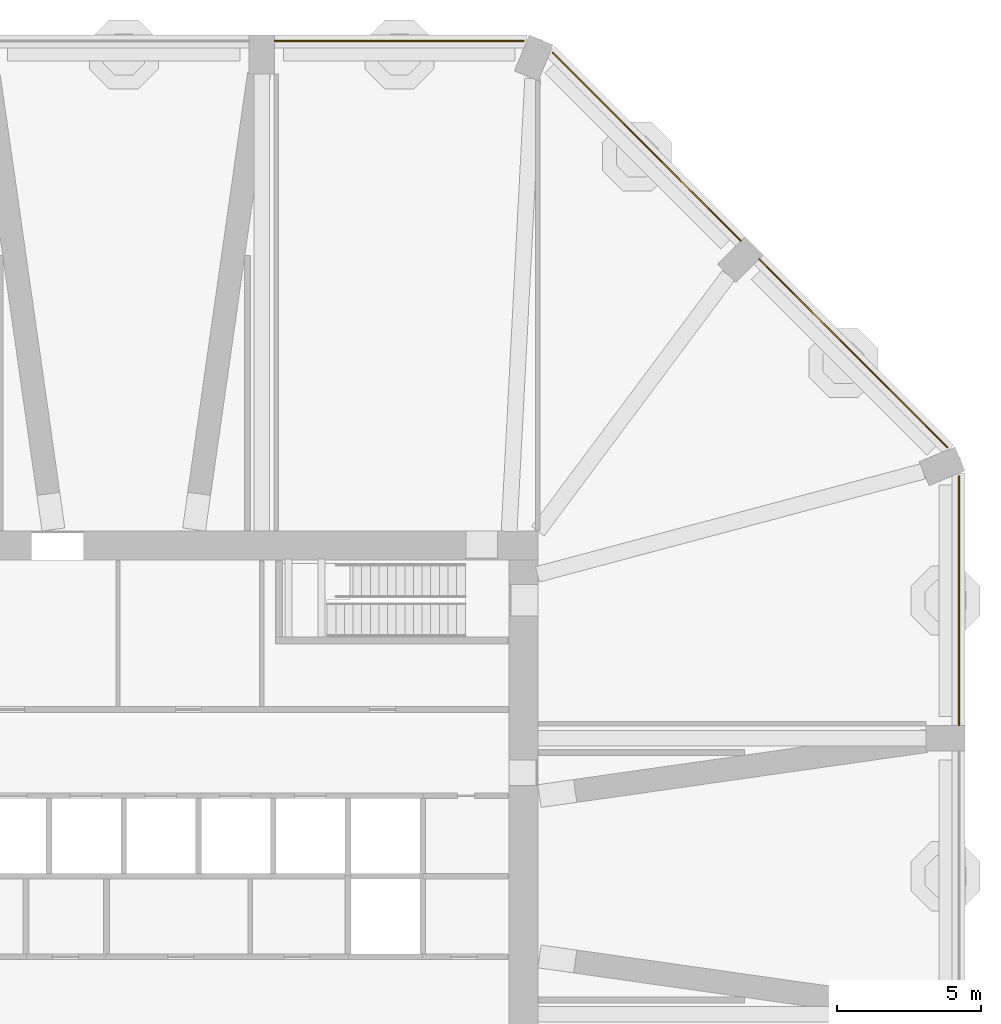
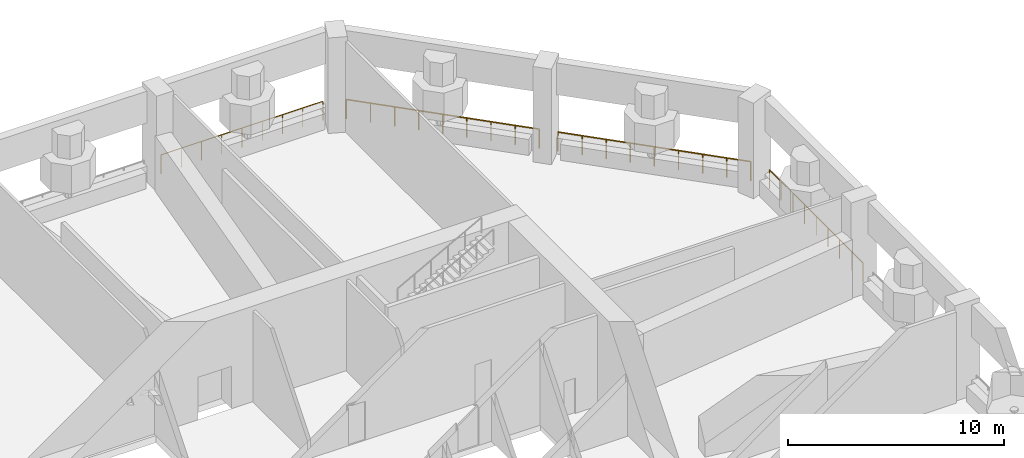
# One storey, part 8 of 9: 4 railings.
"""IFC4 building model written with IfcOpenShell, lengths in metres."""

import ifcopenshell
import ifcopenshell.guid

model = None  # the IFC model being written
_history = None  # IfcOwnerHistory: only IFC2X3 demands one
_inside = {}  # id of a spatial element -> (the spatial element, [elements in it])
_under = {}  # id of a project, library or spatial element -> (it, [spatial elements below it])
_declared = {}  # id of a project -> (the project, [libraries it declares])
_typed = {}  # id of a type object -> (the type object, [elements of that type])
_made_of = {}  # id of a material, layer set ... -> (it, [elements and type objects made of it])


def new_model(schema):
    """Start an empty IFC model of exactly this schema.

    Asked for "IFC4X3", IfcOpenShell would pick the latest addendum, in which some entities
    have other attributes; the version numbers below select the first issue.
    IFC2X3 requires an IfcOwnerHistory on every rooted entity: one is made here for all.
    """
    global model, _history
    if schema == "IFC4X3":
        model = ifcopenshell.file(schema_version=(4, 3, 0, 0))
    else:
        model = ifcopenshell.file(schema=schema)
    _inside.clear()
    _under.clear()
    _declared.clear()
    _typed.clear()
    _made_of.clear()
    _history = None
    if model.schema == "IFC2X3":
        org = make("IfcOrganization", Name="unknown")
        user = make(
            "IfcPersonAndOrganization",
            ThePerson=make("IfcPerson", FamilyName="unknown"),
            TheOrganization=org,
        )
        app = make(
            "IfcApplication",
            ApplicationDeveloper=org,
            Version="unknown",
            ApplicationFullName="unknown",
            ApplicationIdentifier="unknown",
        )
        _history = make(
            "IfcOwnerHistory",
            OwningUser=user,
            OwningApplication=app,
            ChangeAction="ADDED",
            CreationDate=0,
        )
    return model


def make(cls, **values):
    """One entity of the class cls with the attributes given. An attribute that is None is left unset."""
    return model.create_entity(
        cls, **{name: value for name, value in values.items() if value is not None}
    )


def rooted(cls, **values):
    """An entity with a GlobalId (a new one), such as an element, a storey or a relation."""
    return make(cls, GlobalId=ifcopenshell.guid.new(), OwnerHistory=_history, **values)


def si_unit(unit_type, name, prefix=None):
    """IfcSIUnit, for example si_unit("LENGTHUNIT", "METRE", prefix="MILLI")."""
    return make("IfcSIUnit", UnitType=unit_type, Prefix=prefix, Name=name)


def assignment(units):
    """IfcUnitAssignment: the units of a project."""
    return None if units is None else make("IfcUnitAssignment", Units=units)


def point(xyz):
    """IfcCartesianPoint."""
    return None if xyz is None else make("IfcCartesianPoint", Coordinates=xyz)


def direction(xyz):
    """IfcDirection."""
    return None if xyz is None else make("IfcDirection", DirectionRatios=xyz)


def frame(location, z_axis=None, x_axis=None):
    """IfcAxis2Placement3D, a coordinate frame: its origin and axes. An axis left out is left unset."""
    return make(
        "IfcAxis2Placement3D",
        Location=point(location),
        Axis=direction(z_axis),
        RefDirection=direction(x_axis),
    )


def frame_2d(location, x_axis=None):
    """IfcAxis2Placement2D, a coordinate frame in the plane: its origin and x axis."""
    return make(
        "IfcAxis2Placement2D", Location=point(location), RefDirection=direction(x_axis)
    )


def origin():
    """The frame at (0, 0, 0) with its axes left unset."""
    return frame((0.0, 0.0, 0.0))


def origin_2d():
    """The frame at (0, 0) in the plane with its x axis left unset."""
    return frame_2d((0.0, 0.0))


def place(relative_to, where):
    """IfcLocalPlacement: puts the frame where relative to a parent placement (None: the world)."""
    return make(
        "IfcLocalPlacement", PlacementRelTo=relative_to, RelativePlacement=where
    )


def context(
    kind, dimensions, precision=None, world=None, true_north=None, identifier=None
):
    """IfcGeometricRepresentationContext, for example the 3D "Model" context."""
    return make(
        "IfcGeometricRepresentationContext",
        ContextIdentifier=identifier,
        ContextType=kind,
        CoordinateSpaceDimension=dimensions,
        Precision=precision,
        WorldCoordinateSystem=world,
        TrueNorth=true_north,
    )


def subcontext(parent, identifier, kind, view, scale=None):
    """IfcGeometricRepresentationSubContext, for example "Body" below "Model"."""
    return make(
        "IfcGeometricRepresentationSubContext",
        ContextIdentifier=identifier,
        ContextType=kind,
        ParentContext=parent,
        TargetScale=scale,
        TargetView=view,
    )


def project(units=None, contexts=None):
    """IfcProject with its units and contexts."""
    return rooted(
        "IfcProject",
        Name="project",
        RepresentationContexts=contexts,
        UnitsInContext=assignment(units),
    )


def spatial(cls, under=None, at=None, **own):
    """A site, building, storey or space (cls), placed at a placement, below another one or the project."""
    s = rooted(cls, ObjectPlacement=at, **own)
    if under is not None:
        _under.setdefault(under.id(), (under, []))[1].append(s)
    return s


def profile(cls, at=None, kind="AREA", **sizes):
    """A parametric profile (cls). Its sizes go by their IFC names, for example OverallWidth=200.0."""
    return make(cls, ProfileType=kind, Position=at, **sizes)


def circle(**sizes):
    """IfcCircleProfileDef."""
    return profile("IfcCircleProfileDef", **sizes)


def extrude(swept, where, along, depth):
    """IfcExtrudedAreaSolid: the profile swept, set in the frame where, extruded along a direction by depth."""
    return make(
        "IfcExtrudedAreaSolid",
        SweptArea=swept,
        Position=where,
        ExtrudedDirection=direction(along),
        Depth=depth,
    )


def shape(context_of_items, identifier, shape_type, items):
    """IfcShapeRepresentation: the items that make up one representation, for example the "Body"."""
    return make(
        "IfcShapeRepresentation",
        ContextOfItems=context_of_items,
        RepresentationIdentifier=identifier,
        RepresentationType=shape_type,
        Items=items,
    )


def material(Name=None, Category=None):
    """IfcMaterial."""
    return make("IfcMaterial", Name=Name, Category=Category)


def constituent(of_material, Name=None, Category=None, fraction=None):
    """IfcMaterialConstituent: one of the materials an element consists of."""
    return make(
        "IfcMaterialConstituent",
        Name=Name,
        Material=of_material,
        Fraction=fraction,
        Category=Category,
    )


def constituent_set(constituents=None, Name=None):
    """IfcMaterialConstituentSet."""
    return make(
        "IfcMaterialConstituentSet", Name=Name, MaterialConstituents=constituents
    )


def made_of(thing, what):
    """Note that an element or type object is made of a material, layer set ...; save() writes the relation."""
    if what is not None:
        _made_of.setdefault(what.id(), (what, []))[1].append(thing)
    return thing


def type_object(cls, material=None, **own):
    """A type object (cls), such as IfcWallType, which elements share."""
    return made_of(rooted(cls, **own), material)


def element(
    cls,
    number,
    at=None,
    inside=None,
    cuts=None,
    type_object=None,
    material=None,
    context=None,
    identifier="Body",
    shape_type=None,
    held_by="IfcProductDefinitionShape",
    body=None,
    shapes=None,
    **own,
):
    """One element of the class cls, such as IfcWall. Its Tag is "e" and its number.

    at: its placement. inside: the storey or other place that contains it. cuts: it is an
    opening in that element (IfcRelVoidsElement). A single representation is given by context,
    identifier, shape_type and body (its items); several are given by shapes. held_by: the class
    of the entity that holds the representations. save() writes the other relations.
    """
    e = rooted(cls, Tag="e%d" % number, ObjectPlacement=at, **own)
    if body is not None:
        shapes = [shape(context, identifier, shape_type, body)]
    if shapes is not None:
        e.Representation = make(held_by, Representations=shapes)
    if inside is not None:
        _inside.setdefault(inside.id(), (inside, []))[1].append(e)
    if cuts is not None:
        rooted(
            "IfcRelVoidsElement", RelatingBuildingElement=cuts, RelatedOpeningElement=e
        )
    if type_object is not None:
        _typed.setdefault(type_object.id(), (type_object, []))[1].append(e)
    return made_of(e, material)


def aggregate(whole, parts):
    """IfcRelAggregates: a whole, such as a stair, and the parts it consists of."""
    return rooted("IfcRelAggregates", RelatingObject=whole, RelatedObjects=parts)


def save(model, path):
    """Write the relations noted so far, then the file.

    IfcRelAggregates (storeys below a building ...), IfcRelContainedInSpatialStructure (elements
    in a storey), IfcRelDefinesByType, IfcRelAssociatesMaterial and IfcRelDeclares: one each for
    every whole, place, type object, material and project.
    """
    for whole, parts in _under.values():
        aggregate(whole, parts)
    for where, things in _inside.values():
        rooted(
            "IfcRelContainedInSpatialStructure",
            RelatedElements=things,
            RelatingStructure=where,
        )
    for kind, things in _typed.values():
        rooted("IfcRelDefinesByType", RelatedObjects=things, RelatingType=kind)
    for what, things in _made_of.values():
        rooted("IfcRelAssociatesMaterial", RelatedObjects=things, RelatingMaterial=what)
    for by, libraries in _declared.values():
        rooted("IfcRelDeclares", RelatingContext=by, RelatedDefinitions=libraries)
    model.write(path)


model = new_model("IFC4")

# Units and contexts
model_context = context("Model", 3, precision=1e-05, world=origin(), true_north=direction((0.0, 1.0)))
body_context = subcontext(model_context, "Body", "Model", "MODEL_VIEW")
ifc_project = project(units=[si_unit("LENGTHUNIT", "METRE"), si_unit("AREAUNIT", "SQUARE_METRE"), si_unit("VOLUMEUNIT", "CUBIC_METRE"), si_unit("PLANEANGLEUNIT", "RADIAN"), si_unit("MASSUNIT", "GRAM", prefix="KILO")], contexts=[model_context])

# Site, building, storey
site_placement = place(None, origin())
site = spatial("IfcSite", under=ifc_project, at=site_placement, CompositionType="ELEMENT")
building_placement = place(site_placement, origin())
building = spatial("IfcBuilding", under=site, at=building_placement, Name="Msitu Wima Residences", CompositionType="ELEMENT")
storey_placement = place(building_placement, frame((0.0, 0.0, 101.10009765625)))
storey = spatial("IfcBuildingStorey", under=building, at=storey_placement, Name="L23", CompositionType="ELEMENT", Elevation=101.10009765625)

# Railings
ifc_material_1 = material(Name="Steel S355", Category="steel")
ifc_constituent_1 = constituent(ifc_material_1, Name="Steel S355")
ifc_material_2 = material(Name="Weathering patina")
ifc_constituent_2 = constituent(ifc_material_2, Name="Weathering patina")
ifc_constituent_set = constituent_set(constituents=[ifc_constituent_1, ifc_constituent_2], Name="Steel S355")
railing_type = type_object("IfcRailingType", Name="Terrace guard GR1100", PredefinedType="GUARDRAIL", material=ifc_constituent_set)
railing_1_placement = place(storey_placement, frame((29.050048828125, 5.25, 0.0)))
element("IfcRailing", 1, at=railing_1_placement, inside=storey, type_object=railing_type, Name="Refuge guard L23 E2", PredefinedType="GUARDRAIL", context=body_context, shape_type="SweptSolid", body=[
    extrude(circle(Radius=0.02392578125, at=origin_2d()), frame((0.0, 0.0, 1.076171875), z_axis=(0.0, 1.0, 0.0), x_axis=(-1.0, 0.0, 0.0)), (0.0, 0.0, 1.0), 8.662841796875),
    extrude(circle(Radius=0.02099609375, at=origin_2d()), origin(), (0.0, 0.0, 1.0), 1.052001953125),
    extrude(circle(Radius=0.02099609375, at=origin_2d()), frame((0.0, 1.082763671875, 0.0)), (0.0, 0.0, 1.0), 1.052001953125),
    extrude(circle(Radius=0.02099609375, at=origin_2d()), frame((0.0, 2.165771484375, 0.0)), (0.0, 0.0, 1.0), 1.052001953125),
    extrude(circle(Radius=0.02099609375, at=origin_2d()), frame((0.0, 3.24853515625, 0.0)), (0.0, 0.0, 1.0), 1.052001953125),
    extrude(circle(Radius=0.02099609375, at=origin_2d()), frame((0.0, 4.33154296875, 0.0)), (0.0, 0.0, 1.0), 1.052001953125),
    extrude(circle(Radius=0.02099609375, at=origin_2d()), frame((0.0, 5.414306640625, 0.0)), (0.0, 0.0, 1.0), 1.052001953125),
    extrude(circle(Radius=0.02099609375, at=origin_2d()), frame((0.0, 6.4970703125, 0.0)), (0.0, 0.0, 1.0), 1.052001953125),
    extrude(circle(Radius=0.02099609375, at=origin_2d()), frame((0.0, 7.580078125, 0.0)), (0.0, 0.0, 1.0), 1.052001953125),
    extrude(circle(Radius=0.02099609375, at=origin_2d()), frame((0.0, 8.662841796875, 0.0)), (0.0, 0.0, 1.0), 1.052001953125),
])
for number, where, name in (
    (2, (28.63232421875, 14.921142578125, 0.0), "Refuge guard L23 NE0"),
    (3, (21.45849609375, 22.094970703125, 0.0), "Refuge guard L23 NE1"),
):
    element("IfcRailing", number, at=place(storey_placement, frame(where)), inside=storey, type_object=railing_type, Name=name, PredefinedType="GUARDRAIL", context=body_context, shape_type="SweptSolid", body=[
        extrude(circle(Radius=0.02392578125, at=origin_2d()), frame((0.0, 0.0, 1.076171875), z_axis=(-0.707106781187, 0.707106781187, 0.0), x_axis=(-0.707106781187, -0.707106781187, 0.0)), (0.0, 0.0, 1.0), 9.2451171875),
        extrude(circle(Radius=0.02099609375, at=origin_2d()), origin(), (0.0, 0.0, 1.0), 1.052001953125),
        extrude(circle(Radius=0.02099609375, at=origin_2d()), frame((-0.817138671875, 0.817138671875, 0.0)), (0.0, 0.0, 1.0), 1.052001953125),
        extrude(circle(Radius=0.02099609375, at=origin_2d()), frame((-1.63427734375, 1.63427734375, 0.0)), (0.0, 0.0, 1.0), 1.052001953125),
        extrude(circle(Radius=0.02099609375, at=origin_2d()), frame((-2.451416015625, 2.451416015625, 0.0)), (0.0, 0.0, 1.0), 1.052001953125),
        extrude(circle(Radius=0.02099609375, at=origin_2d()), frame((-3.2685546875, 3.2685546875, 0.0)), (0.0, 0.0, 1.0), 1.052001953125),
        extrude(circle(Radius=0.02099609375, at=origin_2d()), frame((-4.0859375, 4.0859375, 0.0)), (0.0, 0.0, 1.0), 1.052001953125),
        extrude(circle(Radius=0.02099609375, at=origin_2d()), frame((-4.903076171875, 4.903076171875, 0.0)), (0.0, 0.0, 1.0), 1.052001953125),
        extrude(circle(Radius=0.02099609375, at=origin_2d()), frame((-5.72021484375, 5.72021484375, 0.0)), (0.0, 0.0, 1.0), 1.052001953125),
        extrude(circle(Radius=0.02099609375, at=origin_2d()), frame((-6.537353515625, 6.537353515625, 0.0)), (0.0, 0.0, 1.0), 1.052001953125),
    ])
railing_2_placement = place(storey_placement, frame((13.912841796875, 29.050048828125, 0.0)))
element("IfcRailing", 4, at=railing_2_placement, inside=storey, type_object=railing_type, Name="Refuge guard L23 N0", PredefinedType="GUARDRAIL", context=body_context, shape_type="SweptSolid", body=[
    extrude(circle(Radius=0.02392578125, at=origin_2d()), frame((0.0, 0.0, 1.076171875), z_axis=(-1.0, 0.0, 0.0), x_axis=(0.0, -1.0, 0.0)), (0.0, 0.0, 1.0), 8.662841796875),
    extrude(circle(Radius=0.02099609375, at=origin_2d()), origin(), (0.0, 0.0, 1.0), 1.052001953125),
    extrude(circle(Radius=0.02099609375, at=origin_2d()), frame((-1.082763671875, 0.0, 0.0)), (0.0, 0.0, 1.0), 1.052001953125),
    extrude(circle(Radius=0.02099609375, at=origin_2d()), frame((-2.165771484375, 0.0, 0.0)), (0.0, 0.0, 1.0), 1.052001953125),
    extrude(circle(Radius=0.02099609375, at=origin_2d()), frame((-3.24853515625, 0.0, 0.0)), (0.0, 0.0, 1.0), 1.052001953125),
    extrude(circle(Radius=0.02099609375, at=origin_2d()), frame((-4.33154296875, 0.0, 0.0)), (0.0, 0.0, 1.0), 1.052001953125),
    extrude(circle(Radius=0.02099609375, at=origin_2d()), frame((-5.414306640625, 0.0, 0.0)), (0.0, 0.0, 1.0), 1.052001953125),
    extrude(circle(Radius=0.02099609375, at=origin_2d()), frame((-6.4970703125, 0.0, 0.0)), (0.0, 0.0, 1.0), 1.052001953125),
    extrude(circle(Radius=0.02099609375, at=origin_2d()), frame((-7.580078125, 0.0, 0.0)), (0.0, 0.0, 1.0), 1.052001953125),
    extrude(circle(Radius=0.02099609375, at=origin_2d()), frame((-8.662841796875, 0.0, 0.0)), (0.0, 0.0, 1.0), 1.052001953125),
])

save(model, "model.ifc")
